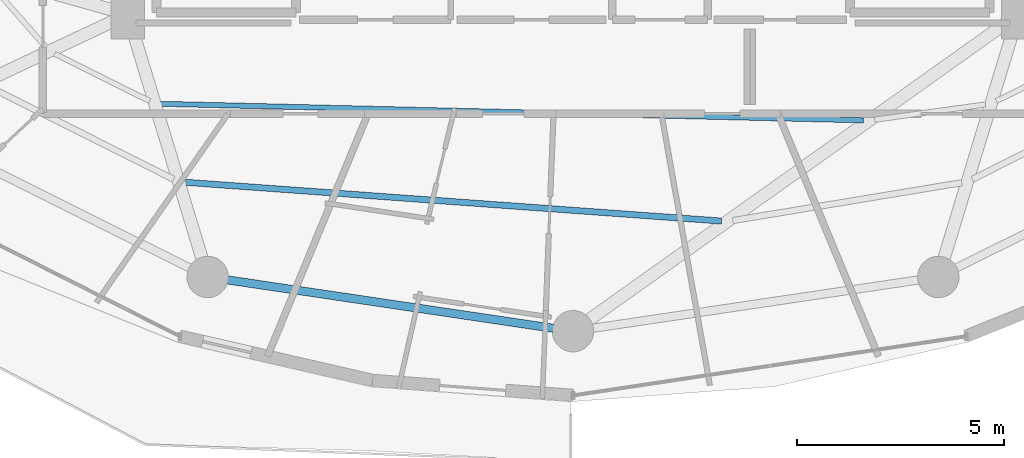
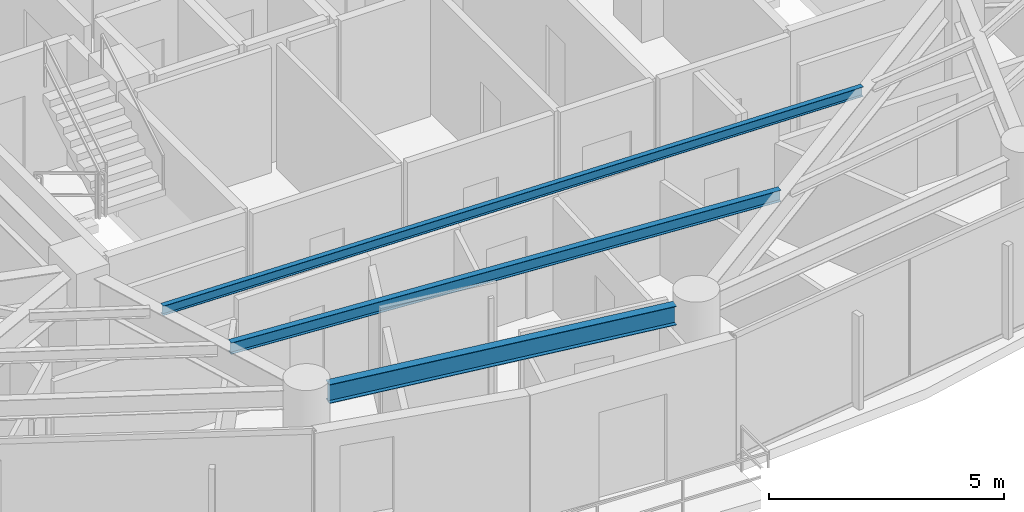
# One storey, part 4 of 28: 3 beams.
"""IFC4 building model written with IfcOpenShell, lengths in metres."""

import ifcopenshell
import ifcopenshell.guid

model = None  # the IFC model being written
_history = None  # IfcOwnerHistory: only IFC2X3 demands one
_inside = {}  # id of a spatial element -> (the spatial element, [elements in it])
_under = {}  # id of a project, library or spatial element -> (it, [spatial elements below it])
_declared = {}  # id of a project -> (the project, [libraries it declares])
_typed = {}  # id of a type object -> (the type object, [elements of that type])
_made_of = {}  # id of a material, layer set ... -> (it, [elements and type objects made of it])


def new_model(schema):
    """Start an empty IFC model of exactly this schema.

    Asked for "IFC4X3", IfcOpenShell would pick the latest addendum, in which some entities
    have other attributes; the version numbers below select the first issue.
    IFC2X3 requires an IfcOwnerHistory on every rooted entity: one is made here for all.
    """
    global model, _history
    if schema == "IFC4X3":
        model = ifcopenshell.file(schema_version=(4, 3, 0, 0))
    else:
        model = ifcopenshell.file(schema=schema)
    _inside.clear()
    _under.clear()
    _declared.clear()
    _typed.clear()
    _made_of.clear()
    _history = None
    if model.schema == "IFC2X3":
        org = make("IfcOrganization", Name="unknown")
        user = make(
            "IfcPersonAndOrganization",
            ThePerson=make("IfcPerson", FamilyName="unknown"),
            TheOrganization=org,
        )
        app = make(
            "IfcApplication",
            ApplicationDeveloper=org,
            Version="unknown",
            ApplicationFullName="unknown",
            ApplicationIdentifier="unknown",
        )
        _history = make(
            "IfcOwnerHistory",
            OwningUser=user,
            OwningApplication=app,
            ChangeAction="ADDED",
            CreationDate=0,
        )
    return model


def make(cls, **values):
    """One entity of the class cls with the attributes given. An attribute that is None is left unset."""
    return model.create_entity(
        cls, **{name: value for name, value in values.items() if value is not None}
    )


def rooted(cls, **values):
    """An entity with a GlobalId (a new one), such as an element, a storey or a relation."""
    return make(cls, GlobalId=ifcopenshell.guid.new(), OwnerHistory=_history, **values)


def si_unit(unit_type, name, prefix=None):
    """IfcSIUnit, for example si_unit("LENGTHUNIT", "METRE", prefix="MILLI")."""
    return make("IfcSIUnit", UnitType=unit_type, Prefix=prefix, Name=name)


def assignment(units):
    """IfcUnitAssignment: the units of a project."""
    return None if units is None else make("IfcUnitAssignment", Units=units)


def point(xyz):
    """IfcCartesianPoint."""
    return None if xyz is None else make("IfcCartesianPoint", Coordinates=xyz)


def direction(xyz):
    """IfcDirection."""
    return None if xyz is None else make("IfcDirection", DirectionRatios=xyz)


def frame(location, z_axis=None, x_axis=None):
    """IfcAxis2Placement3D, a coordinate frame: its origin and axes. An axis left out is left unset."""
    return make(
        "IfcAxis2Placement3D",
        Location=point(location),
        Axis=direction(z_axis),
        RefDirection=direction(x_axis),
    )


def frame_2d(location, x_axis=None):
    """IfcAxis2Placement2D, a coordinate frame in the plane: its origin and x axis."""
    return make(
        "IfcAxis2Placement2D", Location=point(location), RefDirection=direction(x_axis)
    )


def origin():
    """The frame at (0, 0, 0) with its axes left unset."""
    return frame((0.0, 0.0, 0.0))


def origin_2d():
    """The frame at (0, 0) in the plane with its x axis left unset."""
    return frame_2d((0.0, 0.0))


def place(relative_to, where):
    """IfcLocalPlacement: puts the frame where relative to a parent placement (None: the world)."""
    return make(
        "IfcLocalPlacement", PlacementRelTo=relative_to, RelativePlacement=where
    )


def context(
    kind, dimensions, precision=None, world=None, true_north=None, identifier=None
):
    """IfcGeometricRepresentationContext, for example the 3D "Model" context."""
    return make(
        "IfcGeometricRepresentationContext",
        ContextIdentifier=identifier,
        ContextType=kind,
        CoordinateSpaceDimension=dimensions,
        Precision=precision,
        WorldCoordinateSystem=world,
        TrueNorth=true_north,
    )


def subcontext(parent, identifier, kind, view, scale=None):
    """IfcGeometricRepresentationSubContext, for example "Body" below "Model"."""
    return make(
        "IfcGeometricRepresentationSubContext",
        ContextIdentifier=identifier,
        ContextType=kind,
        ParentContext=parent,
        TargetScale=scale,
        TargetView=view,
    )


def project(units=None, contexts=None):
    """IfcProject with its units and contexts."""
    return rooted(
        "IfcProject",
        Name="project",
        RepresentationContexts=contexts,
        UnitsInContext=assignment(units),
    )


def spatial(cls, under=None, at=None, **own):
    """A site, building, storey or space (cls), placed at a placement, below another one or the project."""
    s = rooted(cls, ObjectPlacement=at, **own)
    if under is not None:
        _under.setdefault(under.id(), (under, []))[1].append(s)
    return s


def profile(cls, at=None, kind="AREA", **sizes):
    """A parametric profile (cls). Its sizes go by their IFC names, for example OverallWidth=200.0."""
    return make(cls, ProfileType=kind, Position=at, **sizes)


def i_section(**sizes):
    """IfcIShapeProfileDef."""
    return profile("IfcIShapeProfileDef", **sizes)


def extrude(swept, where, along, depth):
    """IfcExtrudedAreaSolid: the profile swept, set in the frame where, extruded along a direction by depth."""
    return make(
        "IfcExtrudedAreaSolid",
        SweptArea=swept,
        Position=where,
        ExtrudedDirection=direction(along),
        Depth=depth,
    )


def shape(context_of_items, identifier, shape_type, items):
    """IfcShapeRepresentation: the items that make up one representation, for example the "Body"."""
    return make(
        "IfcShapeRepresentation",
        ContextOfItems=context_of_items,
        RepresentationIdentifier=identifier,
        RepresentationType=shape_type,
        Items=items,
    )


def material(Name=None, Category=None):
    """IfcMaterial."""
    return make("IfcMaterial", Name=Name, Category=Category)


def material_profile(
    of_material, cross_section, Name=None, Category=None, Priority=None
):
    """IfcMaterialProfile: a cross section and its material."""
    return make(
        "IfcMaterialProfile",
        Name=Name,
        Material=of_material,
        Profile=cross_section,
        Priority=Priority,
        Category=Category,
    )


def profile_set(profiles, Name=None, composite=None):
    """IfcMaterialProfileSet."""
    return make(
        "IfcMaterialProfileSet",
        Name=Name,
        MaterialProfiles=profiles,
        CompositeProfile=composite,
    )


def made_of(thing, what):
    """Note that an element or type object is made of a material, layer set ...; save() writes the relation."""
    if what is not None:
        _made_of.setdefault(what.id(), (what, []))[1].append(thing)
    return thing


def type_object(cls, material=None, **own):
    """A type object (cls), such as IfcWallType, which elements share."""
    return made_of(rooted(cls, **own), material)


def element(
    cls,
    number,
    at=None,
    inside=None,
    cuts=None,
    type_object=None,
    material=None,
    context=None,
    identifier="Body",
    shape_type=None,
    held_by="IfcProductDefinitionShape",
    body=None,
    shapes=None,
    **own,
):
    """One element of the class cls, such as IfcWall. Its Tag is "e" and its number.

    at: its placement. inside: the storey or other place that contains it. cuts: it is an
    opening in that element (IfcRelVoidsElement). A single representation is given by context,
    identifier, shape_type and body (its items); several are given by shapes. held_by: the class
    of the entity that holds the representations. save() writes the other relations.
    """
    e = rooted(cls, Tag="e%d" % number, ObjectPlacement=at, **own)
    if body is not None:
        shapes = [shape(context, identifier, shape_type, body)]
    if shapes is not None:
        e.Representation = make(held_by, Representations=shapes)
    if inside is not None:
        _inside.setdefault(inside.id(), (inside, []))[1].append(e)
    if cuts is not None:
        rooted(
            "IfcRelVoidsElement", RelatingBuildingElement=cuts, RelatedOpeningElement=e
        )
    if type_object is not None:
        _typed.setdefault(type_object.id(), (type_object, []))[1].append(e)
    return made_of(e, material)


def aggregate(whole, parts):
    """IfcRelAggregates: a whole, such as a stair, and the parts it consists of."""
    return rooted("IfcRelAggregates", RelatingObject=whole, RelatedObjects=parts)


def save(model, path):
    """Write the relations noted so far, then the file.

    IfcRelAggregates (storeys below a building ...), IfcRelContainedInSpatialStructure (elements
    in a storey), IfcRelDefinesByType, IfcRelAssociatesMaterial and IfcRelDeclares: one each for
    every whole, place, type object, material and project.
    """
    for whole, parts in _under.values():
        aggregate(whole, parts)
    for where, things in _inside.values():
        rooted(
            "IfcRelContainedInSpatialStructure",
            RelatedElements=things,
            RelatingStructure=where,
        )
    for kind, things in _typed.values():
        rooted("IfcRelDefinesByType", RelatedObjects=things, RelatingType=kind)
    for what, things in _made_of.values():
        rooted("IfcRelAssociatesMaterial", RelatedObjects=things, RelatingMaterial=what)
    for by, libraries in _declared.values():
        rooted("IfcRelDeclares", RelatingContext=by, RelatedDefinitions=libraries)
    model.write(path)


model = new_model("IFC4")

# Units and contexts
model_context = context("Model", 3, precision=1e-05, world=origin(), true_north=direction((0.0, 1.0)))
body_context = subcontext(model_context, "Body", "Model", "MODEL_VIEW")
ifc_project = project(units=[si_unit("LENGTHUNIT", "METRE"), si_unit("AREAUNIT", "SQUARE_METRE"), si_unit("VOLUMEUNIT", "CUBIC_METRE"), si_unit("PLANEANGLEUNIT", "RADIAN"), si_unit("MASSUNIT", "GRAM", prefix="KILO")], contexts=[model_context])

# Site, building, storey
site_placement = place(None, origin())
site = spatial("IfcSite", under=ifc_project, at=site_placement, CompositionType="ELEMENT")
building_placement = place(site_placement, origin())
building = spatial("IfcBuilding", under=site, at=building_placement, Name="Vorneva Point Tower", CompositionType="ELEMENT")
storey_placement = place(building_placement, frame((0.0, 0.0, 146.60009765625)))
storey = spatial("IfcBuildingStorey", under=building, at=storey_placement, Name="L39", CompositionType="ELEMENT", Elevation=146.60009765625)

# Beams
ifc_material = material(Name="Steel S355", Category="steel")
ifc_material_profile_1 = material_profile(ifc_material, i_section(OverallWidth=0.1240234375, OverallDepth=0.248046875, WebThickness=0.0048828125, FlangeThickness=0.008056640625, at=origin_2d()), Name="25B1")
ifc_profile_set_1 = profile_set([ifc_material_profile_1], Name="Steel S355")
beam_type_1 = type_object("IfcBeamType", Name="BM-JST-25B1", PredefinedType="JOIST", material=ifc_profile_set_1)
beam_1_placement = place(storey_placement, frame((28.0439453125, 14.290283203125, 3.115966796875), z_axis=(0.999721995287, -0.023578213231, 0.0), x_axis=(0.023578213231, 0.999721995287, 0.0)))
element("IfcBeam", 1, at=beam_1_placement, inside=storey, type_object=beam_type_1, Name="L39 Secondary Floor Beam 2.12", PredefinedType="JOIST", context=body_context, shape_type="SweptSolid", body=[
    extrude(i_section(OverallWidth=0.1240234375, OverallDepth=0.248046875, WebThickness=0.0048828125, FlangeThickness=0.008056640625, at=origin_2d()), origin(), (0.0, 0.0, 1.0), 16.970947265625),
])
ifc_material_profile_2 = material_profile(ifc_material, i_section(OverallWidth=0.14892578125, OverallDepth=0.298095703125, WebThickness=0.005615234375, FlangeThickness=0.008056640625, at=origin_2d()), Name="30B1")
ifc_profile_set_2 = profile_set([ifc_material_profile_2], Name="Steel S355")
beam_type_2 = type_object("IfcBeamType", Name="BM-JST-30B1", PredefinedType="JOIST", material=ifc_profile_set_2)
beam_2_placement = place(storey_placement, frame((28.61767578125, 12.397216796875, 3.0908203125), z_axis=(0.997392598268, -0.072166508296, 0.0), x_axis=(0.072166508296, 0.997392598268, 0.0)))
element("IfcBeam", 2, at=beam_2_placement, inside=storey, type_object=beam_type_2, Name="L39 Secondary Floor Beam 1.12", PredefinedType="JOIST", context=body_context, shape_type="SweptSolid", body=[
    extrude(i_section(OverallWidth=0.14892578125, OverallDepth=0.298095703125, WebThickness=0.005615234375, FlangeThickness=0.008056640625, at=origin_2d()), origin(), (0.0, 0.0, 1.0), 13.0009765625),
])
ifc_material_profile_3 = material_profile(ifc_material, i_section(OverallWidth=0.199951171875, OverallDepth=0.491943359375, WebThickness=0.0087890625, FlangeThickness=0.011962890625, at=origin_2d()), Name="50B1")
ifc_profile_set_3 = profile_set([ifc_material_profile_3], Name="Steel S355")
beam_type_3 = type_object("IfcBeamType", Name="BM-SPN-50B1", PredefinedType="SPANDREL", material=ifc_profile_set_3)
beam_3_placement = place(storey_placement, frame((29.65869140625, 10.0380859375, 2.993896484375), z_axis=(0.989161199046, -0.146833655211, 0.0), x_axis=(0.146833655211, 0.989161199046, 0.0)))
element("IfcBeam", 3, at=beam_3_placement, inside=storey, type_object=beam_type_3, Name="L39 Perimeter Spandrel Ring Beam 12", PredefinedType="SPANDREL", context=body_context, shape_type="SweptSolid", body=[
    extrude(i_section(OverallWidth=0.199951171875, OverallDepth=0.491943359375, WebThickness=0.0087890625, FlangeThickness=0.011962890625, at=origin_2d()), origin(), (0.0, 0.0, 1.0), 7.94775390625),
])

save(model, "model.ifc")
